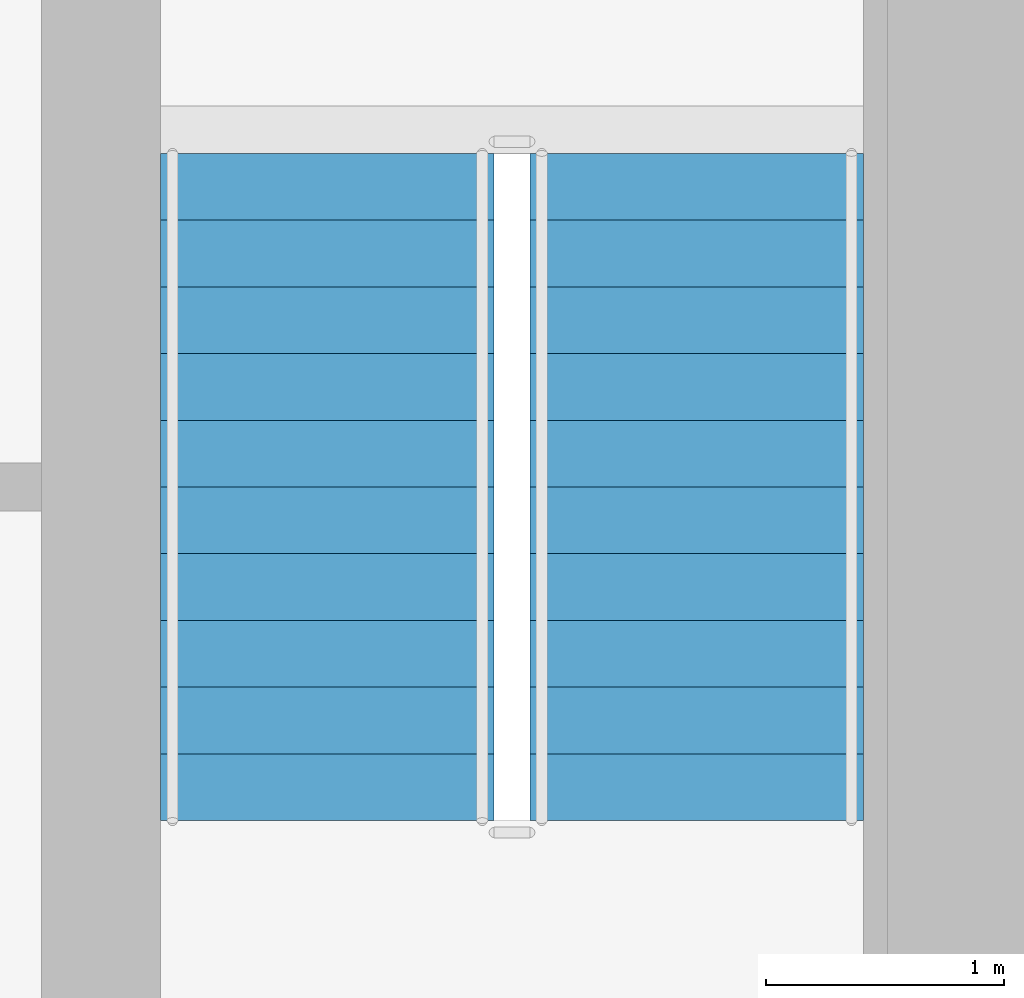
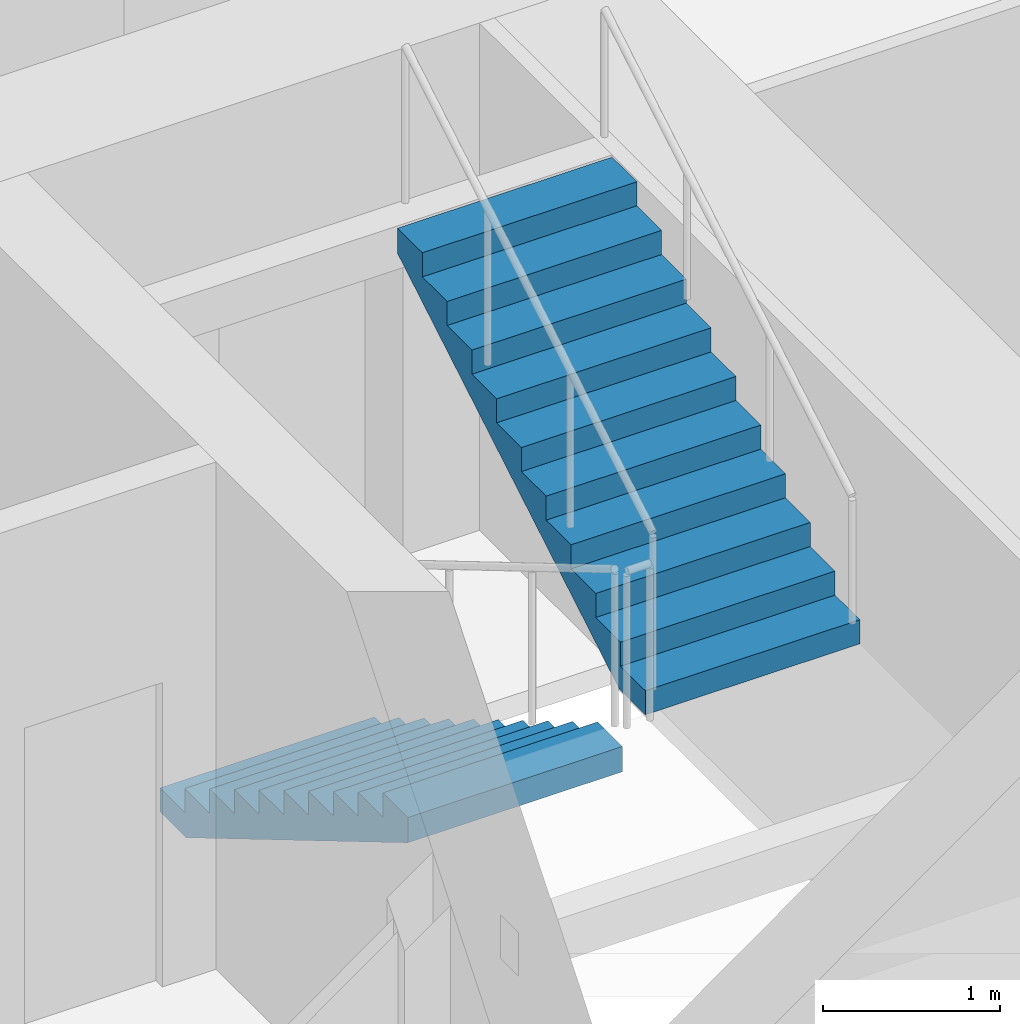
# One storey, part 17 of 21: 2 stair flights, 1 element without a shape of its own.
"""IFC4 building model written with IfcOpenShell, lengths in metres."""

from ifc_helpers import new_model, si_unit, direction, frame, origin, place, context, subcontext, project, spatial, polyline, outline, extrude, material, type_object, element, aggregate, save


model = new_model("IFC4")

# Units and contexts
model_context = context("Model", 3, precision=1e-05, world=origin(), true_north=direction((0.0, 1.0)))
body_context = subcontext(model_context, "Body", "Model", "MODEL_VIEW")
ifc_project = project(units=[si_unit("LENGTHUNIT", "METRE"), si_unit("AREAUNIT", "SQUARE_METRE"), si_unit("VOLUMEUNIT", "CUBIC_METRE"), si_unit("PLANEANGLEUNIT", "RADIAN"), si_unit("MASSUNIT", "GRAM", prefix="KILO")], contexts=[model_context])

# Site, building, storey
site_placement = place(None, origin())
site = spatial("IfcSite", under=ifc_project, at=site_placement, CompositionType="ELEMENT")
building_placement = place(site_placement, origin())
building = spatial("IfcBuilding", under=site, at=building_placement, Name="Isthmus Gate Tower", CompositionType="ELEMENT")
storey_placement = place(building_placement, frame((0.0, 0.0, 102.550048828125)))
storey = spatial("IfcBuildingStorey", under=building, at=storey_placement, Name="L24", CompositionType="ELEMENT", Elevation=102.550048828125)

# Stair, stair flights
ifc_material_1 = material(Name="Concrete f'c 40 MPa", Category="concrete")
stair_type = type_object("IfcStairType", Name="CORE STAIR 22 RISERS", PredefinedType="HALF_TURN_STAIR", material=ifc_material_1)
stair_placement = place(storey_placement, origin())
stair = element("IfcStair", 1, at=stair_placement, inside=storey, type_object=stair_type, Name="L24 Exit Stair 2", PredefinedType="HALF_TURN_STAIR")
ifc_material_2 = material(Name="Concrete f'c 40 MPa", Category="concrete")
stair_flight_type = type_object("IfcStairFlightType", Name="STAIR FLIGHT RC 1400", PredefinedType="STRAIGHT", material=ifc_material_2)
stair_flight_1_placement = place(storey_placement, frame((11.75, 12.60009765625, 0.0), z_axis=(0.0, 0.0, 1.0), x_axis=(0.0, -1.0, 0.0)))
stair_flight_1 = element("IfcStairFlight", 2, at=stair_flight_1_placement, type_object=stair_flight_type, Name="ST2 flight 1", NumberOfRisers=11, NumberOfTreads=10, PredefinedType="STRAIGHT", RiserHeight=0.165909091, TreadLength=0.28, context=body_context, shape_type="SweptSolid", body=[
    extrude(outline(polyline([(0.0, 0.0), (0.0, 0.166015625), (0.280029296875, 0.166015625), (0.280029296875, 0.331787109375), (0.56005859375, 0.331787109375), (0.56005859375, 0.497802734375), (0.840087890625, 0.497802734375), (0.840087890625, 0.66357421875), (1.1201171875, 0.66357421875), (1.1201171875, 0.82958984375), (1.39990234375, 0.82958984375), (1.39990234375, 0.995361328125), (1.679931640625, 0.995361328125), (1.679931640625, 1.161376953125), (1.9599609375, 1.161376953125), (1.9599609375, 1.327392578125), (2.239990234375, 1.327392578125), (2.239990234375, 1.4931640625), (2.52001953125, 1.4931640625), (2.52001953125, 1.6591796875), (2.800048828125, 1.6591796875), (2.800048828125, 1.824951171875), (2.800048828125, 1.48486328125), (0.2939453125, 0.0), (0.0, 0.0)])), frame((0.0, 0.699951171875, 0.0), z_axis=(0.0, -1.0, 0.0), x_axis=(1.0, 0.0, 0.0)), (0.0, 0.0, 1.0), 1.39990234375),
])
stair_flight_2_placement = place(storey_placement, frame((13.300048828125, 9.800048828125, 1.824951171875), z_axis=(0.0, 0.0, 1.0), x_axis=(0.0, 1.0, 0.0)))
stair_flight_2 = element("IfcStairFlight", 3, at=stair_flight_2_placement, type_object=stair_flight_type, Name="ST2 flight 2", NumberOfRisers=11, NumberOfTreads=10, PredefinedType="STRAIGHT", RiserHeight=0.165909091, TreadLength=0.28, context=body_context, shape_type="SweptSolid", body=[
    extrude(outline(polyline([(0.0, 0.0), (0.0, 0.166015625), (0.280029296875, 0.166015625), (0.280029296875, 0.331787109375), (0.56005859375, 0.331787109375), (0.56005859375, 0.497802734375), (0.840087890625, 0.497802734375), (0.840087890625, 0.66357421875), (1.1201171875, 0.66357421875), (1.1201171875, 0.82958984375), (1.39990234375, 0.82958984375), (1.39990234375, 0.995361328125), (1.679931640625, 0.995361328125), (1.679931640625, 1.161376953125), (1.9599609375, 1.161376953125), (1.9599609375, 1.327392578125), (2.239990234375, 1.327392578125), (2.239990234375, 1.4931640625), (2.52001953125, 1.4931640625), (2.52001953125, 1.6591796875), (2.800048828125, 1.6591796875), (2.800048828125, 1.824951171875), (2.800048828125, 1.48486328125), (0.2939453125, 0.0), (0.0, 0.0)])), frame((0.0, 0.699951171875, 0.0), z_axis=(0.0, -1.0, 0.0), x_axis=(1.0, 0.0, 0.0)), (0.0, 0.0, 1.0), 1.39990234375),
])
aggregate(stair, [stair_flight_1, stair_flight_2])

save(model, "model.ifc")
